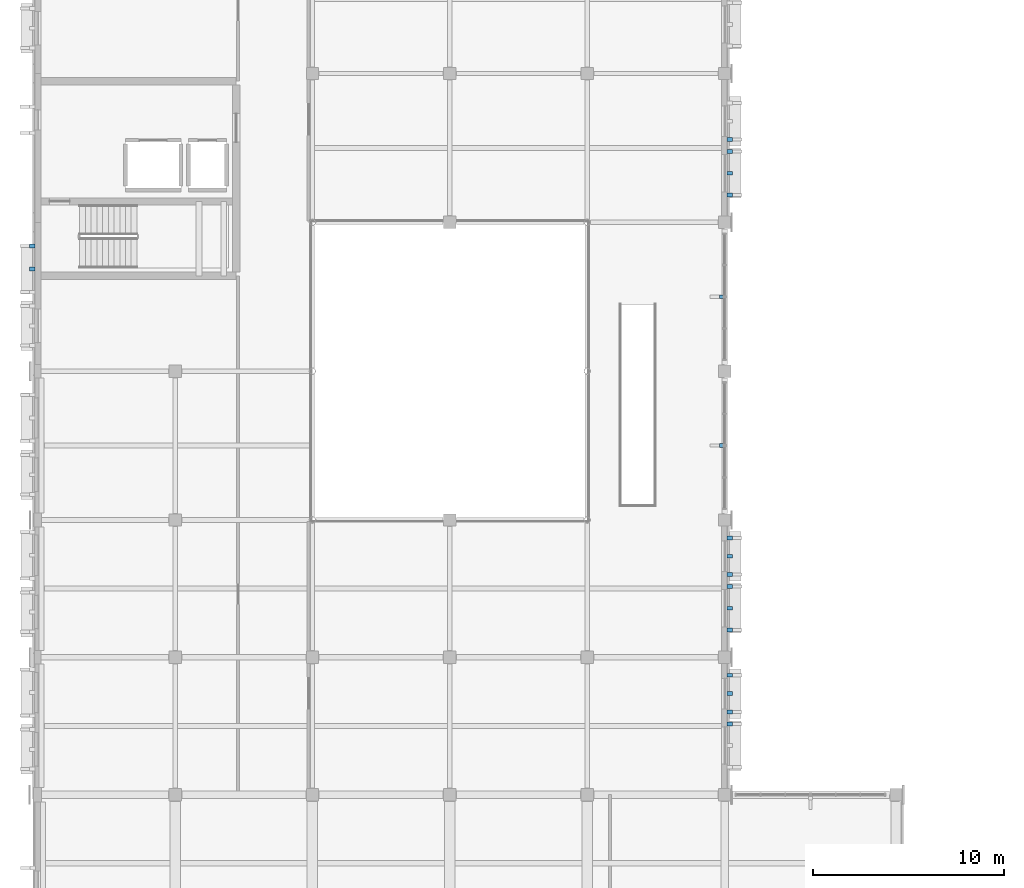
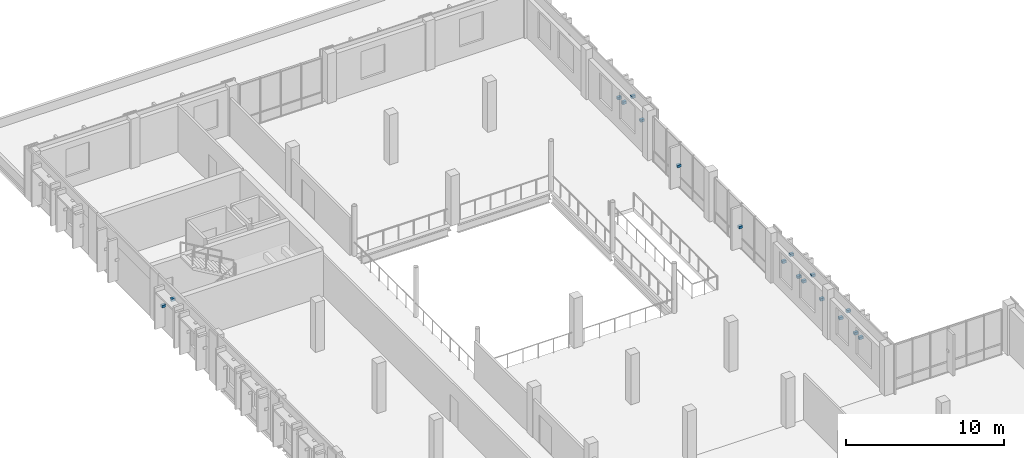
# One storey, part 66 of 85: 18 discrete accessories.
"""IFC4 building model written with IfcOpenShell, lengths in metres."""

from ifc_helpers import new_model, si_unit, direction, frame, origin, origin_2d, place, context, subcontext, project, spatial, rectangle, extrude, material, type_object, element, save


model = new_model("IFC4")

# Units and contexts
model_context = context("Model", 3, precision=1e-05, world=origin(), true_north=direction((0.0, 1.0)))
body_context = subcontext(model_context, "Body", "Model", "MODEL_VIEW")
ifc_project = project(units=[si_unit("LENGTHUNIT", "METRE"), si_unit("AREAUNIT", "SQUARE_METRE"), si_unit("VOLUMEUNIT", "CUBIC_METRE"), si_unit("PLANEANGLEUNIT", "RADIAN"), si_unit("MASSUNIT", "GRAM", prefix="KILO")], contexts=[model_context])

# Site, building, storey
site_placement = place(None, origin())
site = spatial("IfcSite", under=ifc_project, at=site_placement, CompositionType="ELEMENT")
building_placement = place(site_placement, origin())
building = spatial("IfcBuilding", under=site, at=building_placement, Name="Vervanel Yard Central Library", CompositionType="ELEMENT")
storey_placement = place(building_placement, frame((0.0, 0.0, 5.10009765625)))
storey = spatial("IfcBuildingStorey", under=building, at=storey_placement, Name="L01", CompositionType="ELEMENT", Elevation=5.10009765625)

# Discrete accessories
ifc_material = material(Name="Steel ASTM A572 Grade 50", Category="steel")
discrete_accessory_type = type_object("IfcDiscreteAccessoryType", Name="Stainless Solar Fin Fixing Bracket", PredefinedType="BRACKET", material=ifc_material)
for number, where, z_axis, x_axis, name in (
    (1, (-0.2900390625, 57.56005859375, 1.875), (0.0, 0.0, 1.0), (0.0, 1.0, 0.0), "L01 Solar Fin Bracket 274"),
    (2, (-0.2900390625, 56.35009765625, 3.10009765625), (0.0, 0.0, 1.0), (0.0, 1.0, 0.0), "L01 Sunhood Bracket 43"),
    (3, (36.27001953125, 32.510009765625, 1.7998046875), (0.0, 0.0, 1.0), (0.0, 1.0, 0.0), "L01 Solar Fin Bracket 282"),
    (4, (36.27001953125, 33.139892578125, 1.77490234375), (0.0, 0.0, 1.0), (0.0, 1.0, 0.0), "L01 Solar Fin Bracket 283"),
    (5, (36.27001953125, 35.06005859375, 1.77490234375), (0.0, 0.0, 1.0), (0.0, 1.0, 0.0), "L01 Solar Fin Bracket 284"),
    (6, (36.27001953125, 34.10009765625, 2.89990234375), (0.0, 0.0, 1.0), (0.0, 1.0, 0.0), "L01 Sunhood Bracket 47"),
    (7, (36.27001953125, 37.43994140625, 1.7998046875), (0.0, 0.0, 1.0), (0.0, 1.0, 0.0), "L01 Solar Fin Bracket 285"),
    (8, (36.27001953125, 39.7099609375, 1.7998046875), (0.0, 0.0, 1.0), (0.0, 1.0, 0.0), "L01 Solar Fin Bracket 286"),
    (9, (36.27001953125, 38.574951171875, 2.94970703125), (0.0, 0.0, 1.0), (0.0, 1.0, 0.0), "L01 Sunhood Bracket 48"),
    (10, (36.27001953125, 40.340087890625, 1.77490234375), (0.0, 0.0, 1.0), (0.0, 1.0, 0.0), "L01 Solar Fin Bracket 287"),
    (11, (36.27001953125, 42.260009765625, 1.77490234375), (0.0, 0.0, 1.0), (0.0, 1.0, 0.0), "L01 Solar Fin Bracket 288"),
    (12, (36.27001953125, 41.300048828125, 2.89990234375), (0.0, 0.0, 1.0), (0.0, 1.0, 0.0), "L01 Sunhood Bracket 49"),
    (13, (35.8701171875, 47.10009765625, 1.6650390625), (0.0, 0.0, 1.0), (0.0, 1.0, 0.0), "L01 Solar Fin Bracket 289"),
    (14, (35.8701171875, 54.89990234375, 1.6650390625), (0.0, 0.0, 1.0), (0.0, 1.0, 0.0), "L01 Solar Fin Bracket 290"),
    (15, (36.27001953125, 60.239990234375, 1.7998046875), (0.0, 0.0, 1.0), (0.0, 1.0, 0.0), "L01 Solar Fin Bracket 291"),
    (16, (36.27001953125, 62.510009765625, 1.7998046875), (0.0, 0.0, 1.0), (0.0, 1.0, 0.0), "L01 Solar Fin Bracket 292"),
    (17, (36.27001953125, 61.375, 2.94970703125), (0.0, 0.0, 1.0), (0.0, 1.0, 0.0), "L01 Sunhood Bracket 50"),
    (18, (36.27001953125, 63.139892578125, 1.77490234375), (0.0, 0.0, 1.0), (0.0, 1.0, 0.0), "L01 Solar Fin Bracket 293"),
):
    element("IfcDiscreteAccessory", number, at=place(storey_placement, frame(where, z_axis=z_axis, x_axis=x_axis)), inside=storey, type_object=discrete_accessory_type, Name=name, PredefinedType="BRACKET", context=body_context, shape_type="SweptSolid", body=[
        extrude(rectangle(XDim=0.199951171875, YDim=0.280029296875, at=origin_2d()), origin(), (0.0, 0.0, 1.0), 0.199951171875),
    ])

save(model, "model.ifc")
